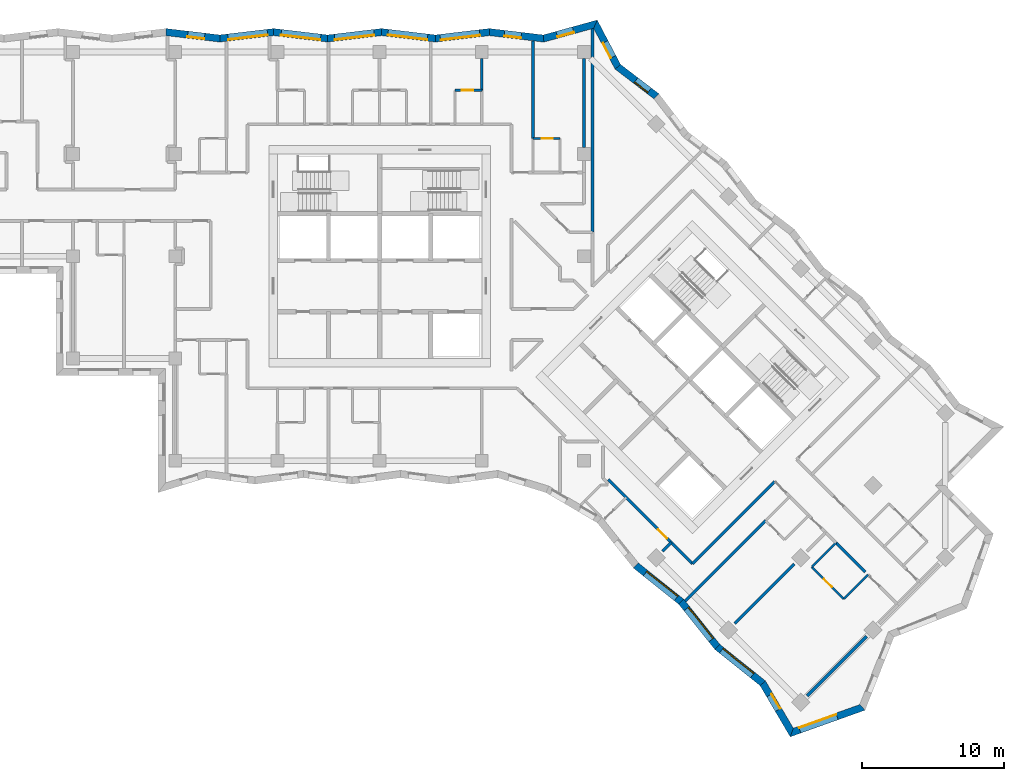
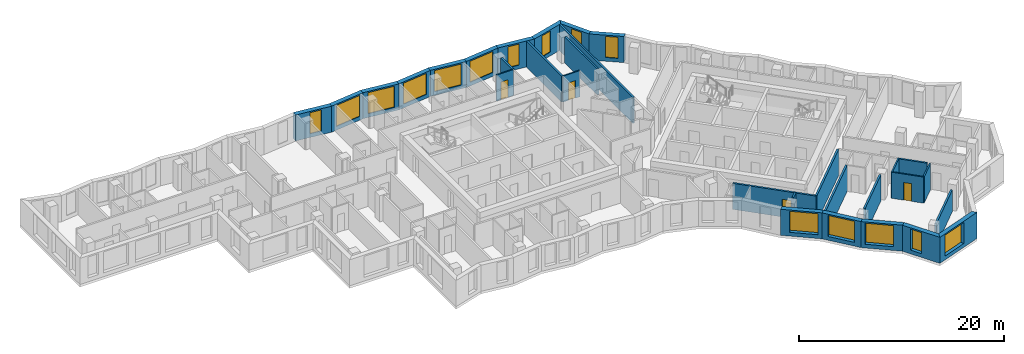
# One storey, part 7 of 12: 31 walls, 15 windows, 4 doors, 19 openings.
"""IFC4 building model written with IfcOpenShell, lengths in metres."""

from ifc_helpers import new_model, si_unit, direction, frame, frame_2d, origin, place, context, subcontext, project, spatial, polyline, rectangle, outline, extrude, material, layer, layer_set, type_object, element, fill, save


model = new_model("IFC4")

# Units and contexts
model_context = context("Model", 3, precision=1e-05, world=origin(), true_north=direction((0.0, 1.0)))
body_context = subcontext(model_context, "Body", "Model", "MODEL_VIEW")
ifc_project = project(units=[si_unit("LENGTHUNIT", "METRE"), si_unit("AREAUNIT", "SQUARE_METRE"), si_unit("VOLUMEUNIT", "CUBIC_METRE"), si_unit("PLANEANGLEUNIT", "RADIAN"), si_unit("MASSUNIT", "GRAM", prefix="KILO")], contexts=[model_context])

# Site, building, storey
site_placement = place(None, origin())
site = spatial("IfcSite", under=ifc_project, at=site_placement, CompositionType="ELEMENT")
building_placement = place(site_placement, origin())
building = spatial("IfcBuilding", under=site, at=building_placement, Name="Windrow Commons", CompositionType="ELEMENT")
storey_placement = place(building_placement, frame((0.0, 0.0, 152.4)))
storey = spatial("IfcBuildingStorey", under=building, at=storey_placement, Name="L41", CompositionType="ELEMENT", Elevation=152.4)

# Wall, opening, window
ifc_material_1 = material(Name="Brick masonry, red clay brick", Category="masonry")
ifc_layer_1 = layer(ifc_material_1, 0.5)
ifc_layer_set_1 = layer_set([ifc_layer_1], Name="Brick facade wall 500")
wall_type_1 = type_object("IfcWallType", Name="Brick facade wall 500", PredefinedType="SOLIDWALL", material=ifc_layer_set_1)
wall_1_placement = place(storey_placement, frame((93.841, 24.0441, 0.0), z_axis=(0.0, 0.0, 1.0), x_axis=(0.9418395195, 0.3360629696, 0.0)))
wall_1 = element("IfcWall", 1, at=wall_1_placement, inside=storey, type_object=wall_type_1, Name="Brick facade wall L41 1", PredefinedType="SOLIDWALL", context=body_context, shape_type="SweptSolid", body=[
    extrude(outline(polyline([(-0.2067, -0.25), (5.3961, -0.25), (5.1691, 0.25), (0.2067, 0.25), (-0.2067, -0.25)])), origin(), (0.0, 0.0, 1.0), 3.1),
])
opening_1_placement = place(wall_1_placement, frame((0.5866, 0.0, 0.45)))
opening_1 = element("IfcOpeningElement", 2, at=opening_1_placement, cuts=wall_1, Name="Opening W1U", PredefinedType="OPENING", context=body_context, shape_type="SweptSolid", body=[
    extrude(rectangle(XDim=2.8, YDim=2.5, at=frame_2d((1.4, 1.25))), frame((0.0, 0.26, 0.0), z_axis=(0.0, -1.0, 0.0), x_axis=(1.0, 0.0, 0.0)), (0.0, 0.0, 1.0), 0.52),
])
ifc_material_2 = material(Name="Clear float glass in anodised aluminium frame", Category="aluminium")
window_type_1 = type_object("IfcWindowType", Name="Window W1U bedroom 2800x2500", PartitioningType="SINGLE_PANEL", PredefinedType="WINDOW", material=ifc_material_2)
window_1_placement = place(opening_1_placement, origin())
window_1 = element("IfcWindow", 3, at=window_1_placement, inside=storey, type_object=window_type_1, Name="Window L41 1.1", OverallHeight=2.5, OverallWidth=2.8, PartitioningType="SINGLE_PANEL", PredefinedType="WINDOW", context=body_context, shape_type="SweptSolid", body=[
    extrude(rectangle(XDim=2.8, YDim=2.5, at=frame_2d((1.4, 1.25))), frame((0.0, 0.18, 0.0), z_axis=(0.0, -1.0, 0.0), x_axis=(1.0, 0.0, 0.0)), (0.0, 0.0, 1.0), 0.06),
])
fill(opening_1, window_1)

wall_2_placement = place(storey_placement, frame((84.3066, 68.8716, 0.0), z_axis=(0.0, 0.0, 1.0), x_axis=(-0.7944728641, 0.6072996528, 0.0)))
wall_2 = element("IfcWall", 4, at=wall_2_placement, inside=storey, type_object=wall_type_1, Name="Brick facade wall L41 17", PredefinedType="SOLIDWALL", context=body_context, shape_type="SweptSolid", body=[
    extrude(outline(polyline([(-0.0334, -0.25), (3.3743, -0.25), (3.4846, 0.25), (0.0334, 0.25), (-0.0334, -0.25)])), origin(), (0.0, 0.0, 1.0), 3.1),
])
opening_2_placement = place(wall_2_placement, frame((0.6381, 0.0, 0.45)))
opening_2 = element("IfcOpeningElement", 5, at=opening_2_placement, cuts=wall_2, Name="Opening W7E", PredefinedType="OPENING", context=body_context, shape_type="SweptSolid", body=[
    extrude(rectangle(XDim=1.2, YDim=2.5, at=frame_2d((0.6, 1.25))), frame((0.0, 0.26, 0.0), z_axis=(0.0, -1.0, 0.0), x_axis=(1.0, 0.0, 0.0)), (0.0, 0.0, 1.0), 0.52),
])
ifc_material_3 = material(Name="Clear float glass in anodised aluminium frame", Category="aluminium")
window_type_2 = type_object("IfcWindowType", Name="Window W7 notch 1200x2500", PartitioningType="SINGLE_PANEL", PredefinedType="WINDOW", material=ifc_material_3)
window_2_placement = place(opening_2_placement, origin())
window_2 = element("IfcWindow", 6, at=window_2_placement, inside=storey, type_object=window_type_2, Name="Window L41 17.1", OverallHeight=2.5, OverallWidth=1.2, PartitioningType="SINGLE_PANEL", PredefinedType="WINDOW", context=body_context, shape_type="SweptSolid", body=[
    extrude(rectangle(XDim=1.2, YDim=2.5, at=frame_2d((0.6, 1.25))), frame((0.0, 0.18, 0.0), z_axis=(0.0, -1.0, 0.0), x_axis=(1.0, 0.0, 0.0)), (0.0, 0.0, 1.0), 0.06),
])
fill(opening_2, window_2)

wall_3_placement = place(storey_placement, frame((81.582, 70.9543, 0.0), z_axis=(0.0, 0.0, 1.0), x_axis=(-0.465076616, 0.8852704339, 0.0)))
wall_3 = element("IfcWall", 7, at=wall_3_placement, inside=storey, type_object=wall_type_1, Name="Brick facade wall L41 18", PredefinedType="SOLIDWALL", context=body_context, shape_type="SweptSolid", body=[
    extrude(outline(polyline([(0.0552, -0.25), (3.5926, -0.25), (3.1895, 0.25), (-0.0552, 0.25), (0.0552, -0.25)])), origin(), (0.0, 0.0, 1.0), 3.1),
])
opening_3_placement = place(wall_3_placement, frame((0.7692, 0.0, 0.45)))
opening_3 = element("IfcOpeningElement", 8, at=opening_3_placement, cuts=wall_3, Name="Opening W7E", PredefinedType="OPENING", context=body_context, shape_type="SweptSolid", body=[
    extrude(rectangle(XDim=1.2, YDim=2.5, at=frame_2d((0.6, 1.25))), frame((0.0, 0.26, 0.0), z_axis=(0.0, -1.0, 0.0), x_axis=(1.0, 0.0, 0.0)), (0.0, 0.0, 1.0), 0.52),
])
window_3_placement = place(opening_3_placement, origin())
window_3 = element("IfcWindow", 9, at=window_3_placement, inside=storey, type_object=window_type_2, Name="Window L41 18.1", OverallHeight=2.5, OverallWidth=1.2, PartitioningType="SINGLE_PANEL", PredefinedType="WINDOW", context=body_context, shape_type="SweptSolid", body=[
    extrude(rectangle(XDim=1.2, YDim=2.5, at=frame_2d((0.6, 1.25))), frame((0.0, 0.18, 0.0), z_axis=(0.0, -1.0, 0.0), x_axis=(1.0, 0.0, 0.0)), (0.0, 0.0, 1.0), 0.06),
])
fill(opening_3, window_3)

wall_4_placement = place(storey_placement, frame((80.0049, 73.9563, 0.0), z_axis=(0.0, 0.0, 1.0), x_axis=(-0.9638013092, -0.2666215226, 0.0)))
wall_4 = element("IfcWall", 10, at=wall_4_placement, inside=storey, type_object=wall_type_1, Name="Brick facade wall L41 19", PredefinedType="SOLIDWALL", context=body_context, shape_type="SweptSolid", body=[
    extrude(outline(polyline([(-0.2015, -0.25), (3.7401, -0.25), (3.8384, 0.25), (0.2015, 0.25), (-0.2015, -0.25)])), origin(), (0.0, 0.0, 1.0), 3.1),
])
opening_4_placement = place(wall_4_placement, frame((1.6122, 0.0, 0.45)))
opening_4 = element("IfcOpeningElement", 11, at=opening_4_placement, cuts=wall_4, Name="Opening W7E", PredefinedType="OPENING", context=body_context, shape_type="SweptSolid", body=[
    extrude(rectangle(XDim=1.2, YDim=2.5, at=frame_2d((0.6, 1.25))), frame((0.0, 0.26, 0.0), z_axis=(0.0, -1.0, 0.0), x_axis=(1.0, 0.0, 0.0)), (0.0, 0.0, 1.0), 0.52),
])
window_4_placement = place(opening_4_placement, origin())
window_4 = element("IfcWindow", 12, at=window_4_placement, inside=storey, type_object=window_type_2, Name="Window L41 19.1", OverallHeight=2.5, OverallWidth=1.2, PartitioningType="SINGLE_PANEL", PredefinedType="WINDOW", context=body_context, shape_type="SweptSolid", body=[
    extrude(rectangle(XDim=1.2, YDim=2.5, at=frame_2d((0.6, 1.25))), frame((0.0, 0.18, 0.0), z_axis=(0.0, -1.0, 0.0), x_axis=(1.0, 0.0, 0.0)), (0.0, 0.0, 1.0), 0.06),
])
fill(opening_4, window_4)

wall_5_placement = place(storey_placement, frame((76.3528, 72.946, 0.0), z_axis=(0.0, 0.0, 1.0), x_axis=(-0.9930297168, 0.1178642505, 0.0)))
wall_5 = element("IfcWall", 13, at=wall_5_placement, inside=storey, type_object=wall_type_1, Name="Brick facade wall L41 20", PredefinedType="SOLIDWALL", context=body_context, shape_type="SweptSolid", body=[
    extrude(outline(polyline([(0.0491, -0.25), (3.8748, -0.25), (3.8154, 0.25), (-0.0491, 0.25), (0.0491, -0.25)])), origin(), (0.0, 0.0, 1.0), 3.1),
])
opening_5_placement = place(wall_5_placement, frame((1.5867, 0.0, 0.45)))
opening_5 = element("IfcOpeningElement", 14, at=opening_5_placement, cuts=wall_5, Name="Opening W7E", PredefinedType="OPENING", context=body_context, shape_type="SweptSolid", body=[
    extrude(rectangle(XDim=1.2, YDim=2.5, at=frame_2d((0.6, 1.25))), frame((0.0, 0.26, 0.0), z_axis=(0.0, -1.0, 0.0), x_axis=(1.0, 0.0, 0.0)), (0.0, 0.0, 1.0), 0.52),
])
window_5_placement = place(opening_5_placement, origin())
window_5 = element("IfcWindow", 15, at=window_5_placement, inside=storey, type_object=window_type_2, Name="Window L41 20.1", OverallHeight=2.5, OverallWidth=1.2, PartitioningType="SINGLE_PANEL", PredefinedType="WINDOW", context=body_context, shape_type="SweptSolid", body=[
    extrude(rectangle(XDim=1.2, YDim=2.5, at=frame_2d((0.6, 1.25))), frame((0.0, 0.18, 0.0), z_axis=(0.0, -1.0, 0.0), x_axis=(1.0, 0.0, 0.0)), (0.0, 0.0, 1.0), 0.06),
])
fill(opening_5, window_5)

wall_6_placement = place(storey_placement, frame((72.5345, 73.3992, 0.0), z_axis=(0.0, 0.0, 1.0), x_axis=(-0.9930269402, -0.1178876415, 0.0)))
wall_6 = element("IfcWall", 16, at=wall_6_placement, inside=storey, type_object=wall_type_1, Name="Brick facade wall L41 21", PredefinedType="SOLIDWALL", context=body_context, shape_type="SweptSolid", body=[
    extrude(outline(polyline([(-0.0297, -0.25), (3.796, -0.25), (3.8553, 0.25), (0.0297, 0.25), (-0.0297, -0.25)])), origin(), (0.0, 0.0, 1.0), 3.1),
])
opening_6_placement = place(wall_6_placement, frame((0.682, 0.0, 0.45)))
opening_6 = element("IfcOpeningElement", 17, at=opening_6_placement, cuts=wall_6, Name="Opening W1U", PredefinedType="OPENING", context=body_context, shape_type="SweptSolid", body=[
    extrude(rectangle(XDim=2.8, YDim=2.5, at=frame_2d((1.4, 1.25))), frame((0.0, 0.26, 0.0), z_axis=(0.0, -1.0, 0.0), x_axis=(1.0, 0.0, 0.0)), (0.0, 0.0, 1.0), 0.52),
])
window_6_placement = place(opening_6_placement, origin())
window_6 = element("IfcWindow", 18, at=window_6_placement, inside=storey, type_object=window_type_1, Name="Window L41 21.1", OverallHeight=2.5, OverallWidth=2.8, PartitioningType="SINGLE_PANEL", PredefinedType="WINDOW", context=body_context, shape_type="SweptSolid", body=[
    extrude(rectangle(XDim=2.8, YDim=2.5, at=frame_2d((1.4, 1.25))), frame((0.0, 0.18, 0.0), z_axis=(0.0, -1.0, 0.0), x_axis=(1.0, 0.0, 0.0)), (0.0, 0.0, 1.0), 0.06),
])
fill(opening_6, window_6)

wall_7_placement = place(storey_placement, frame((68.7355, 72.9482, 0.0), z_axis=(0.0, 0.0, 1.0), x_axis=(-0.9930265769, 0.1178907016, 0.0)))
wall_7 = element("IfcWall", 19, at=wall_7_placement, inside=storey, type_object=wall_type_1, Name="Brick facade wall L41 22", PredefinedType="SOLIDWALL", context=body_context, shape_type="SweptSolid", body=[
    extrude(outline(polyline([(0.0297, -0.25), (3.8553, -0.25), (3.796, 0.25), (-0.0297, 0.25), (0.0297, -0.25)])), origin(), (0.0, 0.0, 1.0), 3.1),
])
opening_7_placement = place(wall_7_placement, frame((0.5669, 0.0, 0.45)))
opening_7 = element("IfcOpeningElement", 20, at=opening_7_placement, cuts=wall_7, Name="Opening W1U", PredefinedType="OPENING", context=body_context, shape_type="SweptSolid", body=[
    extrude(rectangle(XDim=2.8, YDim=2.5, at=frame_2d((1.4, 1.25))), frame((0.0, 0.26, 0.0), z_axis=(0.0, -1.0, 0.0), x_axis=(1.0, 0.0, 0.0)), (0.0, 0.0, 1.0), 0.52),
])
window_7_placement = place(opening_7_placement, origin())
window_7 = element("IfcWindow", 21, at=window_7_placement, inside=storey, type_object=window_type_1, Name="Window L41 22.1", OverallHeight=2.5, OverallWidth=2.8, PartitioningType="SINGLE_PANEL", PredefinedType="WINDOW", context=body_context, shape_type="SweptSolid", body=[
    extrude(rectangle(XDim=2.8, YDim=2.5, at=frame_2d((1.4, 1.25))), frame((0.0, 0.18, 0.0), z_axis=(0.0, -1.0, 0.0), x_axis=(1.0, 0.0, 0.0)), (0.0, 0.0, 1.0), 0.06),
])
fill(opening_7, window_7)

wall_8_placement = place(storey_placement, frame((64.9366, 73.3992, 0.0), z_axis=(0.0, 0.0, 1.0), x_axis=(-0.9930269402, -0.1178876415, 0.0)))
wall_8 = element("IfcWall", 22, at=wall_8_placement, inside=storey, type_object=wall_type_1, Name="Brick facade wall L41 23", PredefinedType="SOLIDWALL", context=body_context, shape_type="SweptSolid", body=[
    extrude(outline(polyline([(-0.0297, -0.25), (3.796, -0.25), (3.8553, 0.25), (0.0297, 0.25), (-0.0297, -0.25)])), origin(), (0.0, 0.0, 1.0), 3.1),
])
opening_8_placement = place(wall_8_placement, frame((0.5277, 0.0, 0.45)))
opening_8 = element("IfcOpeningElement", 23, at=opening_8_placement, cuts=wall_8, Name="Opening W1U", PredefinedType="OPENING", context=body_context, shape_type="SweptSolid", body=[
    extrude(rectangle(XDim=2.8, YDim=2.5, at=frame_2d((1.4, 1.25))), frame((0.0, 0.26, 0.0), z_axis=(0.0, -1.0, 0.0), x_axis=(1.0, 0.0, 0.0)), (0.0, 0.0, 1.0), 0.52),
])
window_8_placement = place(opening_8_placement, origin())
window_8 = element("IfcWindow", 24, at=window_8_placement, inside=storey, type_object=window_type_1, Name="Window L41 23.1", OverallHeight=2.5, OverallWidth=2.8, PartitioningType="SINGLE_PANEL", PredefinedType="WINDOW", context=body_context, shape_type="SweptSolid", body=[
    extrude(rectangle(XDim=2.8, YDim=2.5, at=frame_2d((1.4, 1.25))), frame((0.0, 0.18, 0.0), z_axis=(0.0, -1.0, 0.0), x_axis=(1.0, 0.0, 0.0)), (0.0, 0.0, 1.0), 0.06),
])
fill(opening_8, window_8)

wall_9_placement = place(storey_placement, frame((61.1376, 72.9482, 0.0), z_axis=(0.0, 0.0, 1.0), x_axis=(-0.9930269402, 0.1178876415, 0.0)))
wall_9 = element("IfcWall", 25, at=wall_9_placement, inside=storey, type_object=wall_type_1, Name="Brick facade wall L41 24", PredefinedType="SOLIDWALL", context=body_context, shape_type="SweptSolid", body=[
    extrude(outline(polyline([(0.0297, -0.25), (3.8553, -0.25), (3.796, 0.25), (-0.0297, 0.25), (0.0297, -0.25)])), origin(), (0.0, 0.0, 1.0), 3.1),
])
opening_9_placement = place(wall_9_placement, frame((0.498, 0.0, 0.45)))
opening_9 = element("IfcOpeningElement", 26, at=opening_9_placement, cuts=wall_9, Name="Opening W1U", PredefinedType="OPENING", context=body_context, shape_type="SweptSolid", body=[
    extrude(rectangle(XDim=2.8, YDim=2.5, at=frame_2d((1.4, 1.25))), frame((0.0, 0.26, 0.0), z_axis=(0.0, -1.0, 0.0), x_axis=(1.0, 0.0, 0.0)), (0.0, 0.0, 1.0), 0.52),
])
window_9_placement = place(opening_9_placement, origin())
window_9 = element("IfcWindow", 27, at=window_9_placement, inside=storey, type_object=window_type_1, Name="Window L41 24.1", OverallHeight=2.5, OverallWidth=2.8, PartitioningType="SINGLE_PANEL", PredefinedType="WINDOW", context=body_context, shape_type="SweptSolid", body=[
    extrude(rectangle(XDim=2.8, YDim=2.5, at=frame_2d((1.4, 1.25))), frame((0.0, 0.18, 0.0), z_axis=(0.0, -1.0, 0.0), x_axis=(1.0, 0.0, 0.0)), (0.0, 0.0, 1.0), 0.06),
])
fill(opening_9, window_9)

wall_10_placement = place(storey_placement, frame((57.3386, 73.3992, 0.0), z_axis=(0.0, 0.0, 1.0), x_axis=(-0.9930265769, -0.1178907016, 0.0)))
wall_10 = element("IfcWall", 28, at=wall_10_placement, inside=storey, type_object=wall_type_1, Name="Brick facade wall L41 25", PredefinedType="SOLIDWALL", context=body_context, shape_type="SweptSolid", body=[
    extrude(outline(polyline([(-0.0297, -0.25), (3.796, -0.25), (3.8553, 0.25), (0.0297, 0.25), (-0.0297, -0.25)])), origin(), (0.0, 0.0, 1.0), 3.1),
])
opening_10_placement = place(wall_10_placement, frame((0.4459, 0.0, 0.45)))
opening_10 = element("IfcOpeningElement", 29, at=opening_10_placement, cuts=wall_10, Name="Opening W1U", PredefinedType="OPENING", context=body_context, shape_type="SweptSolid", body=[
    extrude(rectangle(XDim=2.8, YDim=2.5, at=frame_2d((1.4, 1.25))), frame((0.0, 0.26, 0.0), z_axis=(0.0, -1.0, 0.0), x_axis=(1.0, 0.0, 0.0)), (0.0, 0.0, 1.0), 0.52),
])
window_10_placement = place(opening_10_placement, origin())
window_10 = element("IfcWindow", 30, at=window_10_placement, inside=storey, type_object=window_type_1, Name="Window L41 25.1", OverallHeight=2.5, OverallWidth=2.8, PartitioningType="SINGLE_PANEL", PredefinedType="WINDOW", context=body_context, shape_type="SweptSolid", body=[
    extrude(rectangle(XDim=2.8, YDim=2.5, at=frame_2d((1.4, 1.25))), frame((0.0, 0.18, 0.0), z_axis=(0.0, -1.0, 0.0), x_axis=(1.0, 0.0, 0.0)), (0.0, 0.0, 1.0), 0.06),
])
fill(opening_10, window_10)

wall_11_placement = place(storey_placement, frame((53.5397, 72.9482, 0.0), z_axis=(0.0, 0.0, 1.0), x_axis=(-0.9930269402, 0.1178876415, 0.0)))
wall_11 = element("IfcWall", 31, at=wall_11_placement, inside=storey, type_object=wall_type_1, Name="Brick facade wall L41 26", PredefinedType="SOLIDWALL", context=body_context, shape_type="SweptSolid", body=[
    extrude(outline(polyline([(0.0297, -0.25), (3.8553, -0.25), (3.796, 0.25), (-0.0297, 0.25), (0.0297, -0.25)])), origin(), (0.0, 0.0, 1.0), 3.1),
])
opening_11_placement = place(wall_11_placement, frame((1.0809, 0.0, 0.45)))
opening_11 = element("IfcOpeningElement", 32, at=opening_11_placement, cuts=wall_11, Name="Opening W7E", PredefinedType="OPENING", context=body_context, shape_type="SweptSolid", body=[
    extrude(rectangle(XDim=1.2, YDim=2.5, at=frame_2d((0.6, 1.25))), frame((0.0, 0.26, 0.0), z_axis=(0.0, -1.0, 0.0), x_axis=(1.0, 0.0, 0.0)), (0.0, 0.0, 1.0), 0.52),
])
window_11_placement = place(opening_11_placement, origin())
window_11 = element("IfcWindow", 33, at=window_11_placement, inside=storey, type_object=window_type_2, Name="Window L41 26.1", OverallHeight=2.5, OverallWidth=1.2, PartitioningType="SINGLE_PANEL", PredefinedType="WINDOW", context=body_context, shape_type="SweptSolid", body=[
    extrude(rectangle(XDim=1.2, YDim=2.5, at=frame_2d((0.6, 1.25))), frame((0.0, 0.18, 0.0), z_axis=(0.0, -1.0, 0.0), x_axis=(1.0, 0.0, 0.0)), (0.0, 0.0, 1.0), 0.06),
])
fill(opening_11, window_11)

wall_12_placement = place(storey_placement, frame((82.8593, 35.8145, 0.0), z_axis=(0.0, 0.0, 1.0), x_axis=(0.7809237862, -0.6246263204, 0.0)))
wall_12 = element("IfcWall", 34, at=wall_12_placement, inside=storey, type_object=wall_type_1, Name="Brick facade wall L41 52", PredefinedType="SOLIDWALL", context=body_context, shape_type="SweptSolid", body=[
    extrude(outline(polyline([(-0.0278, -0.25), (4.0536, -0.25), (4.1092, 0.25), (0.0278, 0.25), (-0.0278, -0.25)])), origin(), (0.0, 0.0, 1.0), 3.1),
])
opening_12_placement = place(wall_12_placement, frame((0.8554, 0.0, 0.45)))
opening_12 = element("IfcOpeningElement", 35, at=opening_12_placement, cuts=wall_12, Name="Opening W1U", PredefinedType="OPENING", context=body_context, shape_type="SweptSolid", body=[
    extrude(rectangle(XDim=2.8, YDim=2.5, at=frame_2d((1.4, 1.25))), frame((0.0, 0.26, 0.0), z_axis=(0.0, -1.0, 0.0), x_axis=(1.0, 0.0, 0.0)), (0.0, 0.0, 1.0), 0.52),
])
window_12_placement = place(opening_12_placement, origin())
window_12 = element("IfcWindow", 36, at=window_12_placement, inside=storey, type_object=window_type_1, Name="Window L41 52.1", OverallHeight=2.5, OverallWidth=2.8, PartitioningType="SINGLE_PANEL", PredefinedType="WINDOW", context=body_context, shape_type="SweptSolid", body=[
    extrude(rectangle(XDim=2.8, YDim=2.5, at=frame_2d((1.4, 1.25))), frame((0.0, 0.18, 0.0), z_axis=(0.0, -1.0, 0.0), x_axis=(1.0, 0.0, 0.0)), (0.0, 0.0, 1.0), 0.06),
])
fill(opening_12, window_12)

wall_13_placement = place(storey_placement, frame((86.0465, 33.2652, 0.0), z_axis=(0.0, 0.0, 1.0), x_axis=(0.6246412623, -0.7809118346, 0.0)))
wall_13 = element("IfcWall", 37, at=wall_13_placement, inside=storey, type_object=wall_type_1, Name="Brick facade wall L41 53", PredefinedType="SOLIDWALL", context=body_context, shape_type="SweptSolid", body=[
    extrude(outline(polyline([(0.0278, -0.25), (4.1092, -0.25), (4.0536, 0.25), (-0.0278, 0.25), (0.0278, -0.25)])), origin(), (0.0, 0.0, 1.0), 3.1),
])
opening_13_placement = place(wall_13_placement, frame((0.6268, 0.0, 0.45)))
opening_13 = element("IfcOpeningElement", 38, at=opening_13_placement, cuts=wall_13, Name="Opening W1U", PredefinedType="OPENING", context=body_context, shape_type="SweptSolid", body=[
    extrude(rectangle(XDim=2.8, YDim=2.5, at=frame_2d((1.4, 1.25))), frame((0.0, 0.26, 0.0), z_axis=(0.0, -1.0, 0.0), x_axis=(1.0, 0.0, 0.0)), (0.0, 0.0, 1.0), 0.52),
])
window_13_placement = place(opening_13_placement, origin())
window_13 = element("IfcWindow", 39, at=window_13_placement, inside=storey, type_object=window_type_1, Name="Window L41 53.1", OverallHeight=2.5, OverallWidth=2.8, PartitioningType="SINGLE_PANEL", PredefinedType="WINDOW", context=body_context, shape_type="SweptSolid", body=[
    extrude(rectangle(XDim=2.8, YDim=2.5, at=frame_2d((1.4, 1.25))), frame((0.0, 0.18, 0.0), z_axis=(0.0, -1.0, 0.0), x_axis=(1.0, 0.0, 0.0)), (0.0, 0.0, 1.0), 0.06),
])
fill(opening_13, window_13)

wall_14_placement = place(storey_placement, frame((88.5959, 30.078, 0.0), z_axis=(0.0, 0.0, 1.0), x_axis=(0.7809068844, -0.6246474509, 0.0)))
wall_14 = element("IfcWall", 40, at=wall_14_placement, inside=storey, type_object=wall_type_1, Name="Brick facade wall L41 54", PredefinedType="SOLIDWALL", context=body_context, shape_type="SweptSolid", body=[
    extrude(outline(polyline([(-0.0278, -0.25), (4.0536, -0.25), (4.1457, 0.25), (0.0278, 0.25), (-0.0278, -0.25)])), origin(), (0.0, 0.0, 1.0), 3.1),
])
opening_14_placement = place(wall_14_placement, frame((0.3805, 0.0, 0.45)))
opening_14 = element("IfcOpeningElement", 41, at=opening_14_placement, cuts=wall_14, Name="Opening W1U", PredefinedType="OPENING", context=body_context, shape_type="SweptSolid", body=[
    extrude(rectangle(XDim=2.8, YDim=2.5, at=frame_2d((1.4, 1.25))), frame((0.0, 0.26, 0.0), z_axis=(0.0, -1.0, 0.0), x_axis=(1.0, 0.0, 0.0)), (0.0, 0.0, 1.0), 0.52),
])
window_14_placement = place(opening_14_placement, origin())
window_14 = element("IfcWindow", 42, at=window_14_placement, inside=storey, type_object=window_type_1, Name="Window L41 54.1", OverallHeight=2.5, OverallWidth=2.8, PartitioningType="SINGLE_PANEL", PredefinedType="WINDOW", context=body_context, shape_type="SweptSolid", body=[
    extrude(rectangle(XDim=2.8, YDim=2.5, at=frame_2d((1.4, 1.25))), frame((0.0, 0.18, 0.0), z_axis=(0.0, -1.0, 0.0), x_axis=(1.0, 0.0, 0.0)), (0.0, 0.0, 1.0), 0.06),
])
fill(opening_14, window_14)

wall_15_placement = place(storey_placement, frame((91.7973, 27.5172, 0.0), z_axis=(0.0, 0.0, 1.0), x_axis=(0.5071491729, -0.8618582925, 0.0)))
wall_15 = element("IfcWall", 43, at=wall_15_placement, inside=storey, type_object=wall_type_1, Name="Brick facade wall L41 55", PredefinedType="SOLIDWALL", context=body_context, shape_type="SweptSolid", body=[
    extrude(outline(polyline([(0.046, -0.25), (4.2364, -0.25), (3.823, 0.25), (-0.046, 0.25), (0.046, -0.25)])), origin(), (0.0, 0.0, 1.0), 3.1),
])
opening_15_placement = place(wall_15_placement, frame((0.966, 0.0, 0.45)))
opening_15 = element("IfcOpeningElement", 44, at=opening_15_placement, cuts=wall_15, Name="Opening W7E", PredefinedType="OPENING", context=body_context, shape_type="SweptSolid", body=[
    extrude(rectangle(XDim=1.2, YDim=2.5, at=frame_2d((0.6, 1.25))), frame((0.0, 0.26, 0.0), z_axis=(0.0, -1.0, 0.0), x_axis=(1.0, 0.0, 0.0)), (0.0, 0.0, 1.0), 0.52),
])
window_15_placement = place(opening_15_placement, origin())
window_15 = element("IfcWindow", 45, at=window_15_placement, inside=storey, type_object=window_type_2, Name="Window L41 55.1", OverallHeight=2.5, OverallWidth=1.2, PartitioningType="SINGLE_PANEL", PredefinedType="WINDOW", context=body_context, shape_type="SweptSolid", body=[
    extrude(rectangle(XDim=1.2, YDim=2.5, at=frame_2d((0.6, 1.25))), frame((0.0, 0.18, 0.0), z_axis=(0.0, -1.0, 0.0), x_axis=(1.0, 0.0, 0.0)), (0.0, 0.0, 1.0), 0.06),
])
fill(opening_15, window_15)

# Wall, opening, door
ifc_material_4 = material(Name="Blockwork partition", Category="masonry")
ifc_layer_2 = layer(ifc_material_4, 0.2)
ifc_layer_set_2 = layer_set([ifc_layer_2], Name="IW-CORRIDOR-200")
wall_type_2 = type_object("IfcWallType", Name="IW-CORRIDOR-200", PredefinedType="PARTITIONING", material=ifc_layer_set_2)
wall_16_placement = place(storey_placement, frame((80.8989, 41.8689, 0.0), z_axis=(0.0, 0.0, 1.0), x_axis=(0.7071067812, -0.7071067812, 0.0)))
wall_16 = element("IfcWall", 46, at=wall_16_placement, inside=storey, type_object=wall_type_2, Name="W-L41-W010", PredefinedType="PARTITIONING", context=body_context, shape_type="SweptSolid", body=[
    extrude(rectangle(XDim=8.3919, YDim=0.2, at=frame_2d((4.1959, 0.0))), origin(), (0.0, 0.0, 1.0), 3.1),
])
opening_16_placement = place(wall_16_placement, frame((4.9878, 0.0, 0.0)))
opening_16 = element("IfcOpeningElement", 47, at=opening_16_placement, cuts=wall_16, Name="Opening D109S", PredefinedType="OPENING", context=body_context, shape_type="SweptSolid", body=[
    extrude(rectangle(XDim=0.9, YDim=2.1, at=frame_2d((0.45, 1.05))), frame((0.0, 0.11, 0.0), z_axis=(0.0, -1.0, 0.0), x_axis=(1.0, 0.0, 0.0)), (0.0, 0.0, 1.0), 0.22),
])
ifc_material_5 = material(Name="Timber door leaf", Category="wood")
door_type_1 = type_object("IfcDoorType", Name="DT-BEDROOM-900", OperationType="SINGLE_SWING_LEFT", PredefinedType="DOOR", material=ifc_material_5)
door_1_placement = place(opening_16_placement, origin())
door_1 = element("IfcDoor", 48, at=door_1_placement, inside=storey, type_object=door_type_1, Name="D-L41-D046", OperationType="SINGLE_SWING_RIGHT", OverallHeight=2.1, OverallWidth=0.9, PredefinedType="DOOR", context=body_context, shape_type="SweptSolid", body=[
    extrude(rectangle(XDim=0.9, YDim=2.1, at=frame_2d((0.45, 1.05))), frame((0.0, 0.025, 0.0), z_axis=(0.0, -1.0, 0.0), x_axis=(1.0, 0.0, 0.0)), (0.0, 0.0, 1.0), 0.05),
])
fill(opening_16, door_1)

# Walls
wall_17_placement = place(storey_placement, frame((86.8358, 35.9382, 0.0), z_axis=(0.0, 0.0, 1.0), x_axis=(0.7071067812, 0.7071067812, 0.0)))
element("IfcWall", 49, at=wall_17_placement, inside=storey, type_object=wall_type_2, Name="W-L41-W013", PredefinedType="PARTITIONING", context=body_context, shape_type="SweptSolid", body=[
    extrude(rectangle(XDim=8.1996, YDim=0.2, at=frame_2d((4.0998, 0.0))), origin(), (0.0, 0.0, 1.0), 3.1),
])
wall_18_placement = place(storey_placement, frame((96.9452, 37.4192, 0.0), z_axis=(0.0, 0.0, 1.0), x_axis=(0.7071067812, -0.7071067812, 0.0)))
element("IfcWall", 50, at=wall_18_placement, inside=storey, type_object=wall_type_2, Name="W-L41-W058", PredefinedType="PARTITIONING", context=body_context, shape_type="SweptSolid", body=[
    extrude(rectangle(XDim=2.9274, YDim=0.2, at=frame_2d((1.4637, 0.0))), origin(), (0.0, 0.0, 1.0), 3.1),
])

# Wall, opening, door
ifc_material_6 = material(Name="Blockwork partition", Category="masonry")
ifc_layer_3 = layer(ifc_material_6, 0.15)
ifc_layer_set_3 = layer_set([ifc_layer_3], Name="IW-ENSUITE-150")
wall_type_3 = type_object("IfcWallType", Name="IW-ENSUITE-150", PredefinedType="PARTITIONING", material=ifc_layer_set_3)
wall_19_placement = place(storey_placement, frame((95.2492, 35.7232, 0.0), z_axis=(0.0, 0.0, 1.0), x_axis=(0.7067942478, -0.7074191764, 0.0)))
wall_19 = element("IfcWall", 51, at=wall_19_placement, inside=storey, type_object=wall_type_3, Name="W-L41-W052", PredefinedType="PARTITIONING", context=body_context, shape_type="SweptSolid", body=[
    extrude(rectangle(XDim=3.2004, YDim=0.15, at=frame_2d((1.6002, 0.0))), origin(), (0.0, 0.0, 1.0), 3.1),
])
opening_17_placement = place(wall_19_placement, frame((1.2061, 0.0, 0.0)))
opening_17 = element("IfcOpeningElement", 52, at=opening_17_placement, cuts=wall_19, Name="Opening D208N", PredefinedType="OPENING", context=body_context, shape_type="SweptSolid", body=[
    extrude(rectangle(XDim=0.8, YDim=2.1, at=frame_2d((0.4, 1.05))), frame((0.0, 0.085, 0.0), z_axis=(0.0, -1.0, 0.0), x_axis=(1.0, 0.0, 0.0)), (0.0, 0.0, 1.0), 0.17),
])
ifc_material_7 = material(Name="Timber door leaf", Category="wood")
door_type_2 = type_object("IfcDoorType", Name="DT-ENSUITE-800", OperationType="SINGLE_SWING_LEFT", PredefinedType="DOOR", material=ifc_material_7)
door_2_placement = place(opening_17_placement, origin())
door_2 = element("IfcDoor", 53, at=door_2_placement, inside=storey, type_object=door_type_2, Name="D-L41-D052", OperationType="SINGLE_SWING_RIGHT", OverallHeight=2.1, OverallWidth=0.8, PredefinedType="DOOR", context=body_context, shape_type="SweptSolid", body=[
    extrude(rectangle(XDim=0.8, YDim=2.1, at=frame_2d((0.4, 1.05))), frame((0.0, 0.025, 0.0), z_axis=(0.0, -1.0, 0.0), x_axis=(1.0, 0.0, 0.0)), (0.0, 0.0, 1.0), 0.05),
])
fill(opening_17, door_2)

# Walls
wall_20_placement = place(storey_placement, frame((97.5129, 33.4631, 0.0), z_axis=(0.0, 0.0, 1.0), x_axis=(0.7071067812, 0.7071067812, 0.0)))
element("IfcWall", 54, at=wall_20_placement, inside=storey, type_object=wall_type_3, Name="W-L41-W067", PredefinedType="PARTITIONING", context=body_context, shape_type="SweptSolid", body=[
    extrude(rectangle(XDim=2.4013, YDim=0.15, at=frame_2d((1.2006, 0.0))), origin(), (0.0, 0.0, 1.0), 3.1),
])
wall_21_placement = place(storey_placement, frame((95.2511, 35.7269, 0.0), z_axis=(0.0, 0.0, 1.0), x_axis=(0.7071067812, 0.7071067812, 0.0)))
element("IfcWall", 55, at=wall_21_placement, inside=storey, type_object=wall_type_3, Name="W-L41-W097", PredefinedType="PARTITIONING", context=body_context, shape_type="SweptSolid", body=[
    extrude(rectangle(XDim=2.3985, YDim=0.15, at=frame_2d((1.1992, 0.0))), origin(), (0.0, 0.0, 1.0), 3.1),
])

# Wall, opening, door
wall_22_placement = place(storey_placement, frame((75.6, 65.9, 0.0), z_axis=(0.0, 0.0, 1.0), x_axis=(1.0, 0.0, 0.0)))
wall_22 = element("IfcWall", 56, at=wall_22_placement, inside=storey, type_object=wall_type_3, Name="W-L41-W124", PredefinedType="PARTITIONING", context=body_context, shape_type="SweptSolid", body=[
    extrude(rectangle(XDim=1.9, YDim=0.15, at=frame_2d((0.95, 0.0))), origin(), (0.0, 0.0, 1.0), 3.1),
])
opening_18_placement = place(wall_22_placement, frame((0.6069, 0.0, 0.0)))
opening_18 = element("IfcOpeningElement", 57, at=opening_18_placement, cuts=wall_22, Name="Opening D208N", PredefinedType="OPENING", context=body_context, shape_type="SweptSolid", body=[
    extrude(rectangle(XDim=0.8, YDim=2.1, at=frame_2d((0.4, 1.05))), frame((0.0, 0.085, 0.0), z_axis=(0.0, -1.0, 0.0), x_axis=(1.0, 0.0, 0.0)), (0.0, 0.0, 1.0), 0.17),
])
door_3_placement = place(opening_18_placement, origin())
door_3 = element("IfcDoor", 58, at=door_3_placement, inside=storey, type_object=door_type_2, Name="D-L41-D028", OperationType="SINGLE_SWING_RIGHT", OverallHeight=2.1, OverallWidth=0.8, PredefinedType="DOOR", context=body_context, shape_type="SweptSolid", body=[
    extrude(rectangle(XDim=0.8, YDim=2.1, at=frame_2d((0.4, 1.05))), frame((0.0, 0.025, 0.0), z_axis=(0.0, -1.0, 0.0), x_axis=(1.0, 0.0, 0.0)), (0.0, 0.0, 1.0), 0.05),
])
fill(opening_18, door_3)

wall_23_placement = place(storey_placement, frame((70.1, 69.3, 0.0), z_axis=(0.0, 0.0, 1.0), x_axis=(1.0, 0.0, 0.0)))
wall_23 = element("IfcWall", 59, at=wall_23_placement, inside=storey, type_object=wall_type_3, Name="W-L41-W125", PredefinedType="PARTITIONING", context=body_context, shape_type="SweptSolid", body=[
    extrude(rectangle(XDim=1.9, YDim=0.15, at=frame_2d((0.95, 0.0))), origin(), (0.0, 0.0, 1.0), 3.1),
])
opening_19_placement = place(wall_23_placement, frame((0.4931, 0.0, 0.0)))
opening_19 = element("IfcOpeningElement", 60, at=opening_19_placement, cuts=wall_23, Name="Opening D208N", PredefinedType="OPENING", context=body_context, shape_type="SweptSolid", body=[
    extrude(rectangle(XDim=0.8, YDim=2.1, at=frame_2d((0.4, 1.05))), frame((0.0, 0.085, 0.0), z_axis=(0.0, -1.0, 0.0), x_axis=(1.0, 0.0, 0.0)), (0.0, 0.0, 1.0), 0.17),
])
door_4_placement = place(opening_19_placement, origin())
door_4 = element("IfcDoor", 61, at=door_4_placement, inside=storey, type_object=door_type_2, Name="D-L41-D015", OperationType="SINGLE_SWING_RIGHT", OverallHeight=2.1, OverallWidth=0.8, PredefinedType="DOOR", context=body_context, shape_type="SweptSolid", body=[
    extrude(rectangle(XDim=0.8, YDim=2.1, at=frame_2d((0.4, 1.05))), frame((0.0, 0.025, 0.0), z_axis=(0.0, -1.0, 0.0), x_axis=(1.0, 0.0, 0.0)), (0.0, 0.0, 1.0), 0.05),
])
fill(opening_19, door_4)

# Walls
ifc_material_8 = material(Name="Blockwork partition", Category="masonry")
ifc_layer_4 = layer(ifc_material_8, 0.2)
ifc_layer_set_4 = layer_set([ifc_layer_4], Name="IW-PARTY-200")
wall_type_4 = type_object("IfcWallType", Name="IW-PARTY-200", PredefinedType="PARTITIONING", material=ifc_layer_set_4)
wall_24_placement = place(storey_placement, frame((79.8, 59.3, 0.0), z_axis=(0.0, 0.0, 1.0), x_axis=(0.0, 1.0, 0.0)))
element("IfcWall", 62, at=wall_24_placement, inside=storey, type_object=wall_type_4, Name="W-L41-W004", PredefinedType="PARTITIONING", context=body_context, shape_type="SweptSolid", body=[
    extrude(rectangle(XDim=14.3402, YDim=0.2, at=frame_2d((7.1701, 0.0))), origin(), (0.0, 0.0, 1.0), 3.1),
])
wall_25_placement = place(storey_placement, frame((86.3299, 33.311, 0.0), z_axis=(0.0, 0.0, 1.0), x_axis=(0.707100543, 0.7071130194, 0.0)))
element("IfcWall", 63, at=wall_25_placement, inside=storey, type_object=wall_type_4, Name="W-L41-W014", PredefinedType="PARTITIONING", context=body_context, shape_type="SweptSolid", body=[
    extrude(rectangle(XDim=8.0151, YDim=0.2, at=frame_2d((4.0076, 0.0))), origin(), (0.0, 0.0, 1.0), 3.1),
])
wall_26_placement = place(storey_placement, frame((75.6, 65.9, 0.0), z_axis=(0.0, 0.0, 1.0), x_axis=(0.0, 1.0, 0.0)))
element("IfcWall", 64, at=wall_26_placement, inside=storey, type_object=wall_type_4, Name="W-L41-W017", PredefinedType="PARTITIONING", context=body_context, shape_type="SweptSolid", body=[
    extrude(rectangle(XDim=6.8836, YDim=0.2, at=frame_2d((3.4418, 0.0))), origin(), (0.0, 0.0, 1.0), 3.1),
])
wall_27_placement = place(storey_placement, frame((79.2, 65.25, 0.0), z_axis=(0.0, 0.0, 1.0), x_axis=(0.0, 1.0, 0.0)))
element("IfcWall", 65, at=wall_27_placement, inside=storey, type_object=wall_type_4, Name="W-L41-W024", PredefinedType="PARTITIONING", context=body_context, shape_type="SweptSolid", body=[
    extrude(rectangle(XDim=6.3, YDim=0.2, at=frame_2d((3.15, 0.0))), origin(), (0.0, 0.0, 1.0), 3.1),
])
wall_28_placement = place(storey_placement, frame((89.831, 31.721, 0.0), z_axis=(0.0, 0.0, 1.0), x_axis=(0.7071067812, 0.7071067812, 0.0)))
element("IfcWall", 66, at=wall_28_placement, inside=storey, type_object=wall_type_4, Name="W-L41-W029", PredefinedType="PARTITIONING", context=body_context, shape_type="SweptSolid", body=[
    extrude(rectangle(XDim=5.9284, YDim=0.2, at=frame_2d((2.9642, 0.0))), origin(), (0.0, 0.0, 1.0), 3.1),
])
wall_29_placement = place(storey_placement, frame((94.9232, 26.6308, 0.0), z_axis=(0.0, 0.0, 1.0), x_axis=(0.7071067812, 0.7071067812, 0.0)))
element("IfcWall", 67, at=wall_29_placement, inside=storey, type_object=wall_type_4, Name="W-L41-W030", PredefinedType="PARTITIONING", context=body_context, shape_type="SweptSolid", body=[
    extrude(rectangle(XDim=5.9256, YDim=0.2, at=frame_2d((2.9628, 0.0))), origin(), (0.0, 0.0, 1.0), 2.6),
])
wall_30_placement = place(storey_placement, frame((72.0, 69.3, 0.0), z_axis=(0.0, 0.0, 1.0), x_axis=(0.0, 1.0, 0.0)))
element("IfcWall", 68, at=wall_30_placement, inside=storey, type_object=wall_type_4, Name="W-L41-W104", PredefinedType="PARTITIONING", context=body_context, shape_type="SweptSolid", body=[
    extrude(rectangle(XDim=2.25, YDim=0.2, at=frame_2d((1.125, 0.0))), origin(), (0.0, 0.0, 1.0), 3.1),
])
wall_31_placement = place(storey_placement, frame((84.7408, 36.8132, 0.0), z_axis=(0.0, 0.0, 1.0), x_axis=(0.7071067812, 0.7071067812, 0.0)))
element("IfcWall", 69, at=wall_31_placement, inside=storey, type_object=wall_type_4, Name="W-L41-W157", PredefinedType="PARTITIONING", context=body_context, shape_type="SweptSolid", body=[
    extrude(rectangle(XDim=0.8627, YDim=0.2, at=frame_2d((0.4314, 0.0))), origin(), (0.0, 0.0, 1.0), 3.1),
])

save(model, "model.ifc")
